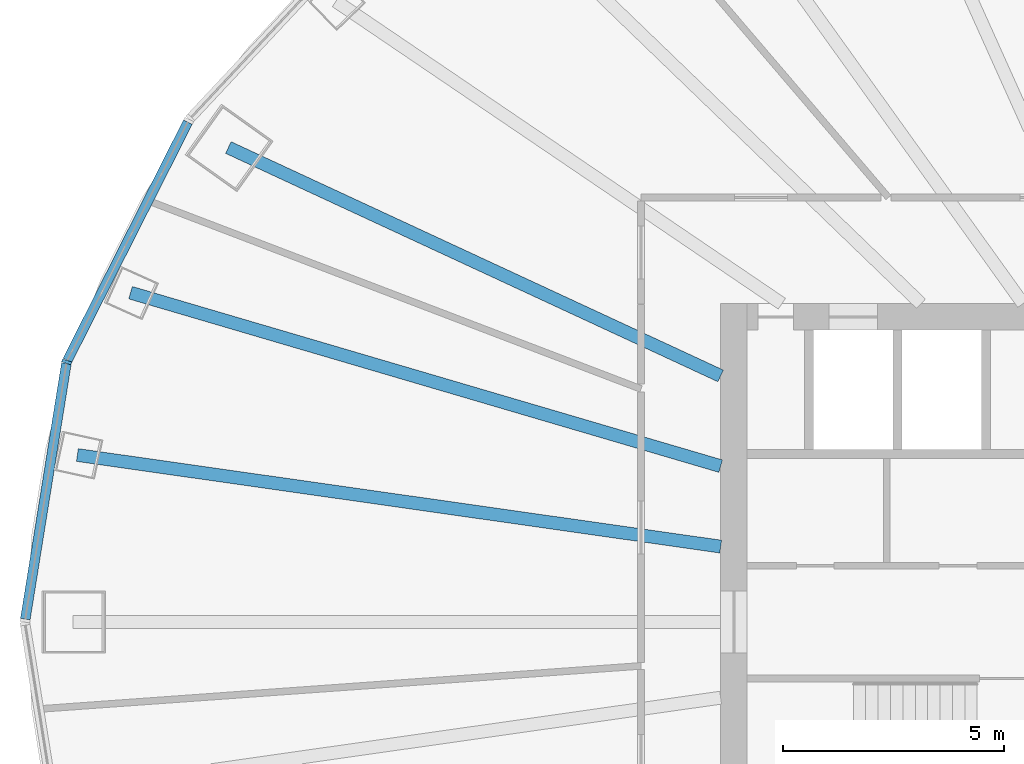
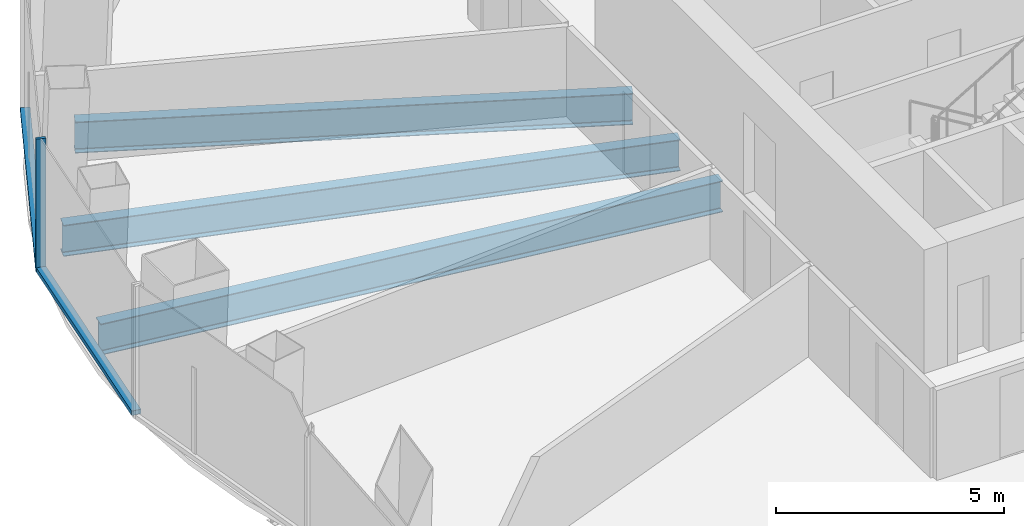
# One storey, part 3 of 11: 3 beams, 3 members, 1 element without a shape of its own.
"""IFC4 building model written with IfcOpenShell, lengths in metres."""

from ifc_helpers import new_model, si_unit, direction, frame, origin, origin_2d, place, context, subcontext, project, spatial, rectangle, i_section, extrude, material, layer, layer_set, material_profile, profile_set, type_object, element, aggregate, save


model = new_model("IFC4")

# Units and contexts
model_context = context("Model", 3, precision=1e-05, world=origin(), true_north=direction((0.0, 1.0)))
body_context = subcontext(model_context, "Body", "Model", "MODEL_VIEW")
ifc_project = project(units=[si_unit("LENGTHUNIT", "METRE"), si_unit("AREAUNIT", "SQUARE_METRE"), si_unit("VOLUMEUNIT", "CUBIC_METRE"), si_unit("PLANEANGLEUNIT", "RADIAN"), si_unit("MASSUNIT", "GRAM", prefix="KILO")], contexts=[model_context])

# Site, building, storey
site_placement = place(None, origin())
site = spatial("IfcSite", under=ifc_project, at=site_placement, CompositionType="ELEMENT")
building_placement = place(site_placement, origin())
building = spatial("IfcBuilding", under=site, at=building_placement, Name="Siaravel Broadcast Tower", CompositionType="ELEMENT")
storey_placement = place(building_placement, frame((0.0, 0.0, 51.89990234375)))
storey = spatial("IfcBuildingStorey", under=building, at=storey_placement, Name="L11", CompositionType="ELEMENT", Elevation=51.89990234375)

# Beams
ifc_material_1 = material(Name="Steel S355", Category="steel")
ifc_material_profile_1 = material_profile(ifc_material_1, i_section(OverallWidth=0.291748046875, OverallDepth=0.8349609375, WebThickness=0.013916015625, FlangeThickness=0.018798828125, FilletRadius=0.017822265625, at=origin_2d()))
ifc_profile_set_1 = profile_set([ifc_material_profile_1], Name="Steel S355")
beam_type = type_object("IfcBeamType", Name="BM-UB 838x292x176", PredefinedType="BEAM", material=ifc_profile_set_1)
beam_1_placement = place(storey_placement, frame((-23.129638671875, 10.729736328125, -0.5673828125), z_axis=(0.907148714, -0.420810184, 0.0), x_axis=(0.420810184, 0.907148714, 0.0)))
element("IfcBeam", 1, at=beam_1_placement, inside=storey, type_object=beam_type, Name="Radial beam RB16", PredefinedType="BEAM", context=body_context, shape_type="SweptSolid", body=[
    extrude(i_section(OverallWidth=0.291748046875, OverallDepth=0.8349609375, WebThickness=0.013916015625, FlangeThickness=0.018798828125, FilletRadius=0.017822265625, at=origin_2d()), origin(), (0.0, 0.0, 1.0), 12.268798828125),
])
beam_2_placement = place(storey_placement, frame((-25.341552734375, 7.4482421875, -0.5673828125), z_axis=(0.959420837, -0.281978115, 0.0), x_axis=(0.281978115, 0.959420837, 0.0)))
element("IfcBeam", 2, at=beam_2_placement, inside=storey, type_object=beam_type, Name="Radial beam RB17", PredefinedType="BEAM", context=body_context, shape_type="SweptSolid", body=[
    extrude(i_section(OverallWidth=0.291748046875, OverallDepth=0.8349609375, WebThickness=0.013916015625, FlangeThickness=0.018798828125, FilletRadius=0.017822265625, at=origin_2d()), origin(), (0.0, 0.0, 1.0), 13.90576171875),
])
beam_3_placement = place(storey_placement, frame((-26.54248046875, 3.7783203125, -0.5673828125), z_axis=(0.990017854, -0.140942004, 0.0), x_axis=(0.140942004, 0.990017854, 0.0)))
element("IfcBeam", 3, at=beam_3_placement, inside=storey, type_object=beam_type, Name="Radial beam RB18", PredefinedType="BEAM", context=body_context, shape_type="SweptSolid", body=[
    extrude(i_section(OverallWidth=0.291748046875, OverallDepth=0.8349609375, WebThickness=0.013916015625, FlangeThickness=0.018798828125, FilletRadius=0.017822265625, at=origin_2d()), origin(), (0.0, 0.0, 1.0), 14.689208984375),
])

# Curtain wall, members
ifc_material_2 = material(Name="Aluminium 6063-T6", Category="aluminium")
ifc_layer = layer(ifc_material_2, 0.219970703125)
ifc_layer_set = layer_set([ifc_layer], Name="Aluminium 6063-T6")
curtain_wall_type = type_object("IfcCurtainWallType", Name="Unitised curtain wall, zone 1", PredefinedType="NOTDEFINED", material=ifc_layer_set)
curtain_wall_placement = place(storey_placement, origin())
curtain_wall = element("IfcCurtainWall", 4, at=curtain_wall_placement, inside=storey, type_object=curtain_wall_type, Name="L11 Unitised curtain wall, zone 1 06", PredefinedType="NOTDEFINED")
ifc_material_profile_2 = material_profile(ifc_material_2, rectangle(XDim=0.219970703125, YDim=0.070068359375, at=origin_2d()))
ifc_profile_set_2 = profile_set([ifc_material_profile_2], Name="Aluminium 6063-T6")
member_type_1 = type_object("IfcMemberType", Name="CW-Z1 mullion", PredefinedType="MULLION", material=ifc_profile_set_2)
member_1_placement = place(storey_placement, frame((-26.7861328125, 5.88427734375, 0.0), z_axis=(0.0, 0.0, 1.0), x_axis=(0.951177111, -0.308645596, 0.0)))
member_1 = element("IfcMember", 5, at=member_1_placement, type_object=member_type_1, Name="CW-Z1 mullion 2", PredefinedType="MULLION", context=body_context, shape_type="SweptSolid", body=[
    extrude(rectangle(XDim=0.219970703125, YDim=0.070068359375, at=origin_2d()), origin(), (0.0, 0.0, 1.0), 3.550048828125),
])
ifc_material_profile_3 = material_profile(ifc_material_2, rectangle(XDim=0.219970703125, YDim=0.1201171875, at=origin_2d()))
ifc_profile_set_3 = profile_set([ifc_material_profile_3], Name="Aluminium 6063-T6")
member_type_2 = type_object("IfcMemberType", Name="CW-Z1 transom", PredefinedType="USERDEFINED", material=ifc_profile_set_3)
member_2_placement = place(storey_placement, frame((-24.045654296875, 11.3037109375, 0.06005859375), z_axis=(-0.451268424, -0.892388262, 0.0), x_axis=(0.892388262, -0.451268424, 0.0)))
member_2 = element("IfcMember", 6, at=member_2_placement, type_object=member_type_2, Name="CW-Z1 transom 1", ObjectType="TRANSOM", PredefinedType="USERDEFINED", context=body_context, shape_type="SweptSolid", body=[
    extrude(rectangle(XDim=0.219970703125, YDim=0.1201171875, at=origin_2d()), origin(), (0.0, 0.0, 1.0), 6.038330078125),
])
member_3_placement = place(storey_placement, frame((-26.791748046875, 5.849609375, 0.06005859375), z_axis=(-0.158668659, -0.987331888, 0.0), x_axis=(0.987331888, -0.158668659, 0.0)))
member_3 = element("IfcMember", 7, at=member_3_placement, type_object=member_type_2, Name="CW-Z1 transom 2", ObjectType="TRANSOM", PredefinedType="USERDEFINED", context=body_context, shape_type="SweptSolid", body=[
    extrude(rectangle(XDim=0.219970703125, YDim=0.1201171875, at=origin_2d()), origin(), (0.0, 0.0, 1.0), 5.854736328125),
])
aggregate(curtain_wall, [member_1, member_2, member_3])

save(model, "model.ifc")
